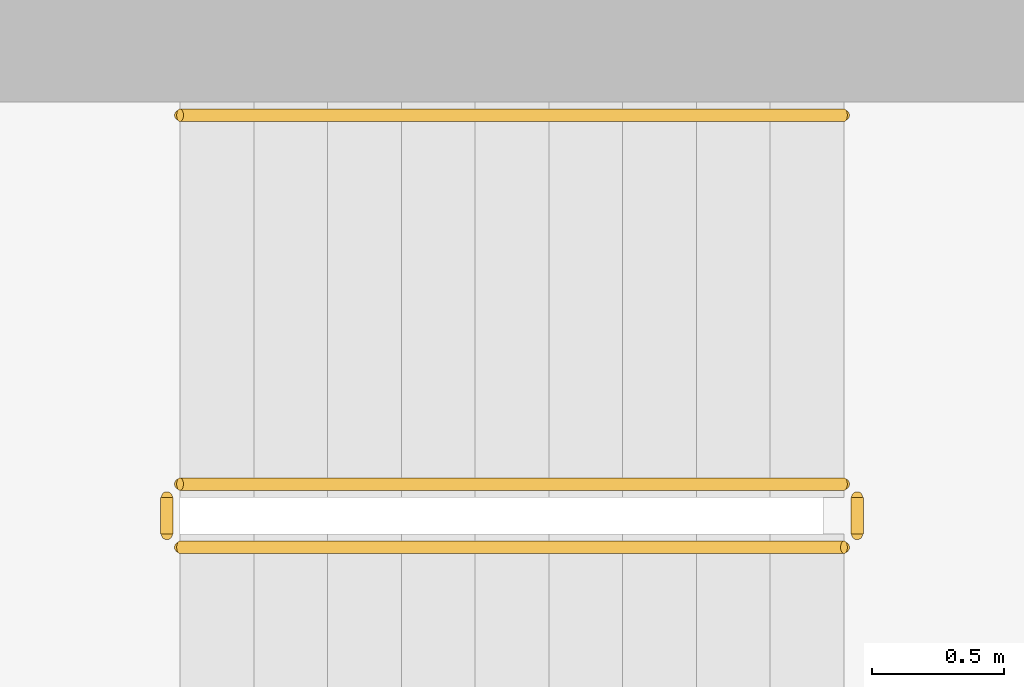
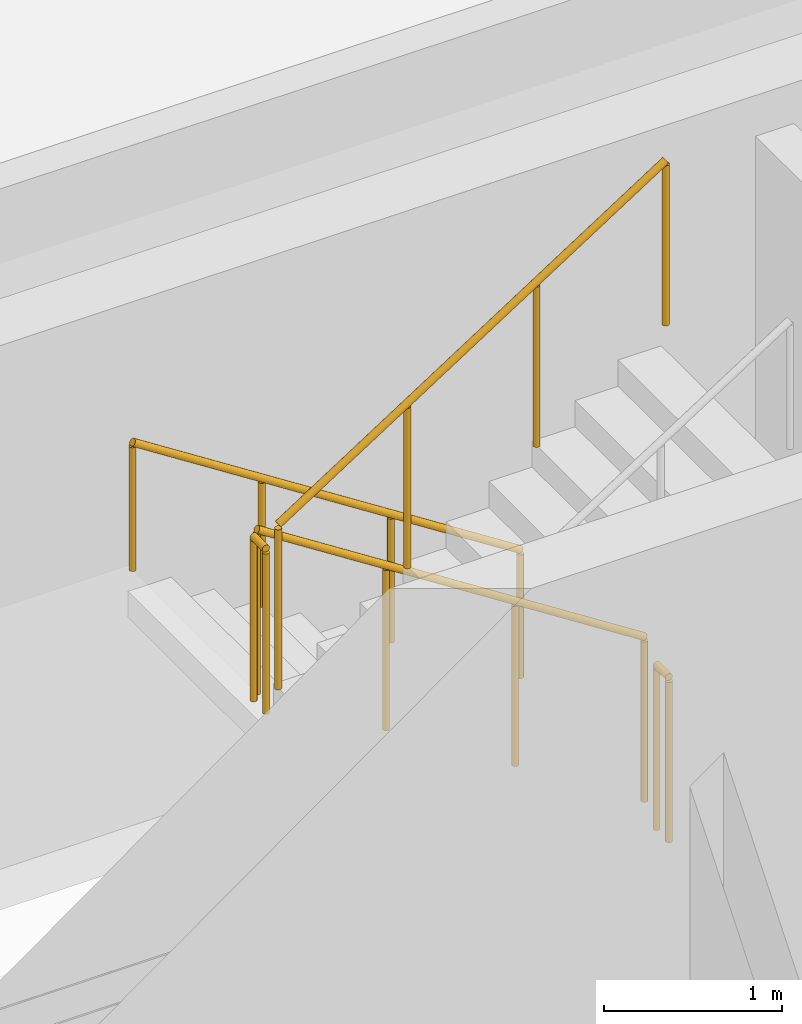
# One storey, part 11 of 12: 5 railings.
"""IFC4 building model written with IfcOpenShell, lengths in metres."""

from ifc_helpers import new_model, si_unit, derived_unit, direction, frame, origin, origin_2d, place, context, subcontext, project, spatial, circle, extrude, material, type_object, element, save


model = new_model("IFC4")

# Units and contexts
model_context = context("Model", 3, precision=1e-05, world=origin(), true_north=direction((0.0, 1.0)))
body_context = subcontext(model_context, "Body", "Model", "MODEL_VIEW")
ifc_project = project(units=[si_unit("LENGTHUNIT", "METRE"), si_unit("AREAUNIT", "SQUARE_METRE"), si_unit("VOLUMEUNIT", "CUBIC_METRE"), si_unit("PLANEANGLEUNIT", "RADIAN"), si_unit("MASSUNIT", "GRAM", prefix="KILO"), derived_unit("THERMALTRANSMITTANCEUNIT", [(si_unit("POWERUNIT", "WATT"), 1), (si_unit("LENGTHUNIT", "METRE"), -2), (si_unit("THERMODYNAMICTEMPERATUREUNIT", "KELVIN"), -1)])], contexts=[model_context])

# Site, building, storey
site_placement = place(None, origin())
site = spatial("IfcSite", under=ifc_project, at=site_placement, CompositionType="ELEMENT")
building_placement = place(site_placement, origin())
building = spatial("IfcBuilding", under=site, at=building_placement, Name="Kivonza Crest Hotel", CompositionType="ELEMENT")
storey_placement = place(building_placement, frame((0.0, 0.0, 181.10009765625)))
storey = spatial("IfcBuildingStorey", under=building, at=storey_placement, Name="L49", CompositionType="ELEMENT", Elevation=181.10009765625)

# Railings
ifc_material_1 = material(Name="Brushed stainless steel handrail", Category="steel")
railing_type_1 = type_object("IfcRailingType", Name="RL-HAND-900", PredefinedType="HANDRAIL", material=ifc_material_1)
railing_1_placement = place(storey_placement, frame((12.239990234375, 36.110107421875, 0.179931640625)))
element("IfcRailing", 1, at=railing_1_placement, inside=storey, type_object=railing_type_1, Name="L49 ST-T1-N stair handrail 1", PredefinedType="HANDRAIL", context=body_context, shape_type="SweptSolid", body=[
    extrude(circle(Radius=0.02392578125, at=origin_2d()), frame((0.0, 0.0, 0.8759765625), z_axis=(-0.841199657755, 0.0, 0.540724639528), x_axis=(0.0, -1.0, 0.0)), (0.0, 0.0, 1.0), 2.995849609375),
    extrude(circle(Radius=0.02099609375, at=origin_2d()), origin(), (0.0, 0.0, 1.0), 0.851806640625),
    extrude(circle(Radius=0.02099609375, at=origin_2d()), frame((-0.840087890625, 0.0, 0.5400390625)), (0.0, 0.0, 1.0), 0.851806640625),
    extrude(circle(Radius=0.02099609375, at=origin_2d()), frame((-1.679931640625, 0.0, 1.079833984375)), (0.0, 0.0, 1.0), 0.851806640625),
    extrude(circle(Radius=0.02099609375, at=origin_2d()), frame((-2.52001953125, 0.0, 1.619873046875)), (0.0, 0.0, 1.0), 0.851806640625),
])
ifc_material_2 = material(Name="Painted steel balustrade", Category="steel")
railing_type_2 = type_object("IfcRailingType", Name="RL-STAIR-1150", PredefinedType="BALUSTRADE", material=ifc_material_2)
railing_2_placement = place(storey_placement, frame((12.239990234375, 34.7099609375, 0.179931640625)))
element("IfcRailing", 2, at=railing_2_placement, inside=storey, type_object=railing_type_2, Name="L49 ST-T1-N stair guard 1", PredefinedType="BALUSTRADE", context=body_context, shape_type="SweptSolid", body=[
    extrude(circle(Radius=0.02392578125, at=origin_2d()), frame((0.0, 0.0, 1.1259765625), z_axis=(-0.841199657755, 0.0, 0.540724639528), x_axis=(0.0, -1.0, 0.0)), (0.0, 0.0, 1.0), 2.995849609375),
    extrude(circle(Radius=0.02099609375, at=origin_2d()), origin(), (0.0, 0.0, 1.0), 1.101806640625),
    extrude(circle(Radius=0.02099609375, at=origin_2d()), frame((-0.840087890625, 0.0, 0.5400390625)), (0.0, 0.0, 1.0), 1.101806640625),
    extrude(circle(Radius=0.02099609375, at=origin_2d()), frame((-1.679931640625, 0.0, 1.079833984375)), (0.0, 0.0, 1.0), 1.101806640625),
    extrude(circle(Radius=0.02099609375, at=origin_2d()), frame((-2.52001953125, 0.0, 1.619873046875)), (0.0, 0.0, 1.0), 1.101806640625),
])
railing_3_placement = place(storey_placement, frame((9.669921875, 34.659912109375, 1.7998046875)))
element("IfcRailing", 3, at=railing_3_placement, inside=storey, type_object=railing_type_2, Name="L49 ST-T1-N stair guard 2", PredefinedType="BALUSTRADE", context=body_context, shape_type="SweptSolid", body=[
    extrude(circle(Radius=0.02392578125, at=origin_2d()), frame((0.0, 0.0, 1.1259765625), z_axis=(0.0, -1.0, 0.0), x_axis=(1.0, 0.0, 0.0)), (0.0, 0.0, 1.0), 0.139892578125),
    extrude(circle(Radius=0.02099609375, at=origin_2d()), origin(), (0.0, 0.0, 1.0), 1.101806640625),
    extrude(circle(Radius=0.02099609375, at=origin_2d()), frame((0.0, -0.139892578125, 0.0)), (0.0, 0.0, 1.0), 1.101806640625),
])
railing_4_placement = place(storey_placement, frame((9.719970703125, 34.469970703125, 1.97998046875)))
element("IfcRailing", 4, at=railing_4_placement, inside=storey, type_object=railing_type_2, Name="L49 ST-T1-N stair guard 3", PredefinedType="BALUSTRADE", context=body_context, shape_type="SweptSolid", body=[
    extrude(circle(Radius=0.02392578125, at=origin_2d()), frame((0.0, 0.0, 1.1259765625), z_axis=(0.841199657755, 0.0, 0.540724639528), x_axis=(0.0, 1.0, 0.0)), (0.0, 0.0, 1.0), 2.995849609375),
    extrude(circle(Radius=0.02099609375, at=origin_2d()), origin(), (0.0, 0.0, 1.0), 1.101806640625),
    extrude(circle(Radius=0.02099609375, at=origin_2d()), frame((0.840087890625, 0.0, 0.5400390625)), (0.0, 0.0, 1.0), 1.101806640625),
    extrude(circle(Radius=0.02099609375, at=origin_2d()), frame((1.679931640625, 0.0, 1.079833984375)), (0.0, 0.0, 1.0), 1.101806640625),
    extrude(circle(Radius=0.02099609375, at=origin_2d()), frame((2.52001953125, 0.0, 1.619873046875)), (0.0, 0.0, 1.0), 1.101806640625),
])
railing_5_placement = place(storey_placement, frame((12.2900390625, 34.659912109375, 0.0)))
element("IfcRailing", 5, at=railing_5_placement, inside=storey, type_object=railing_type_2, Name="L49 ST-T1-N stair guard 4", PredefinedType="BALUSTRADE", context=body_context, shape_type="SweptSolid", body=[
    extrude(circle(Radius=0.02392578125, at=origin_2d()), frame((0.0, 0.0, 1.1259765625), z_axis=(0.0, -1.0, 0.0), x_axis=(1.0, 0.0, 0.0)), (0.0, 0.0, 1.0), 0.139892578125),
    extrude(circle(Radius=0.02099609375, at=origin_2d()), origin(), (0.0, 0.0, 1.0), 1.101806640625),
    extrude(circle(Radius=0.02099609375, at=origin_2d()), frame((0.0, -0.139892578125, 0.0)), (0.0, 0.0, 1.0), 1.101806640625),
])

save(model, "model.ifc")
